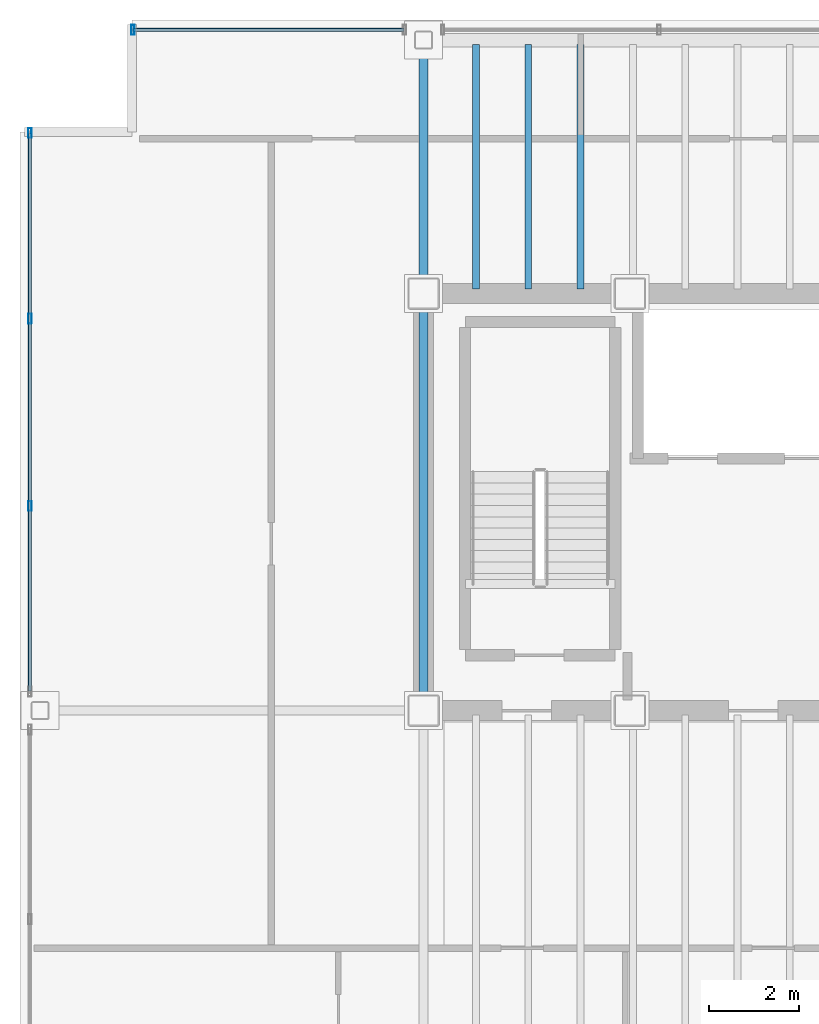
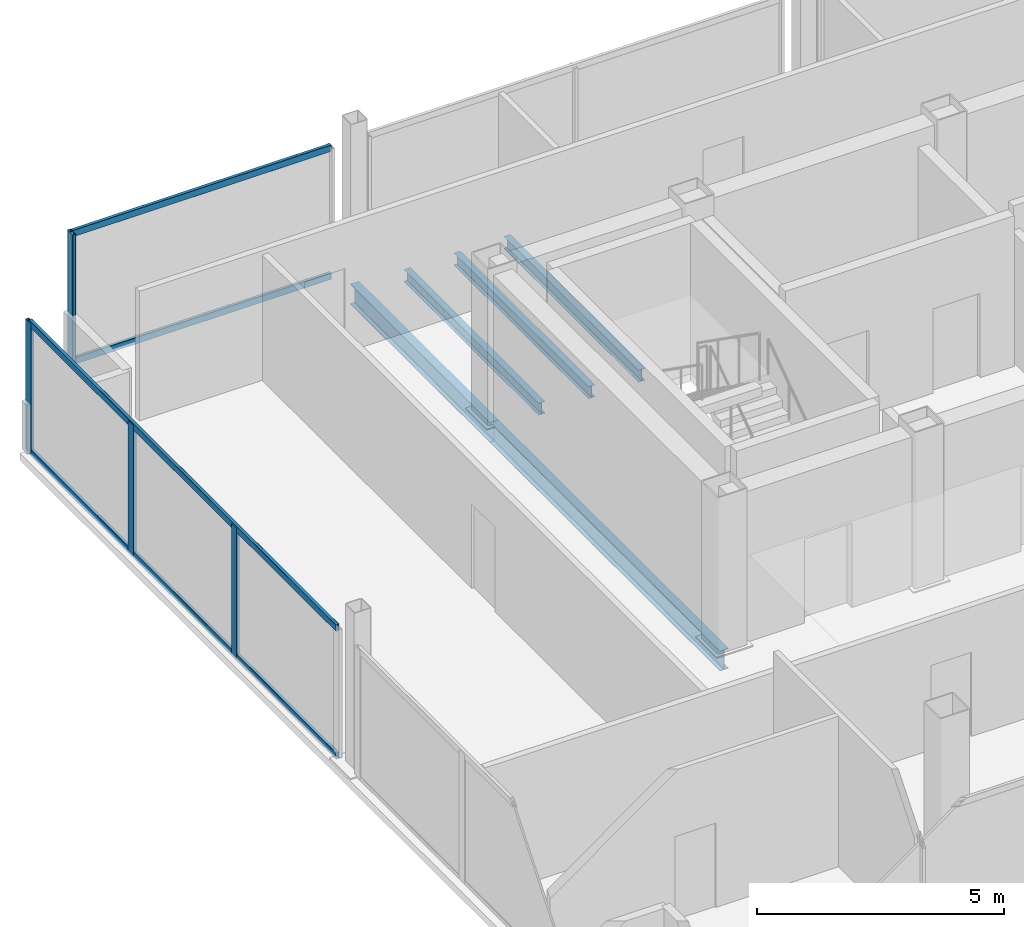
# One storey, part 8 of 17: 8 members, 5 beams, 2 elements without a shape of their own.
"""IFC4 building model written with IfcOpenShell, lengths in metres."""

from ifc_helpers import new_model, si_unit, direction, frame, origin, origin_2d, place, context, subcontext, project, spatial, hollow_rectangle, i_section, extrude, material, material_profile, profile_set, type_object, element, aggregate, save


model = new_model("IFC4")

# Units and contexts
model_context = context("Model", 3, precision=1e-05, world=origin(), true_north=direction((0.0, 1.0)))
body_context = subcontext(model_context, "Body", "Model", "MODEL_VIEW")
ifc_project = project(units=[si_unit("LENGTHUNIT", "METRE"), si_unit("AREAUNIT", "SQUARE_METRE"), si_unit("VOLUMEUNIT", "CUBIC_METRE"), si_unit("PLANEANGLEUNIT", "RADIAN"), si_unit("MASSUNIT", "GRAM", prefix="KILO")], contexts=[model_context])

# Site, building, storey
site_placement = place(None, origin())
site = spatial("IfcSite", under=ifc_project, at=site_placement, CompositionType="ELEMENT")
building_placement = place(site_placement, origin())
building = spatial("IfcBuilding", under=site, at=building_placement, Name="Noeulbin Bourse Tower", CompositionType="ELEMENT")
storey_placement = place(building_placement, frame((0.0, 0.0, 273.5)))
storey = spatial("IfcBuildingStorey", under=building, at=storey_placement, Name="L68", CompositionType="ELEMENT", Elevation=273.5)

# Beams
ifc_material_1 = material(Name="Steel S355", Category="steel")
ifc_material_profile_1 = material_profile(ifc_material_1, i_section(OverallWidth=0.199951171875, OverallDepth=0.5, WebThickness=0.010009765625, FlangeThickness=0.01611328125, FilletRadius=0.02001953125, at=origin_2d()), Name="H-500x200x10x16", Category="LoadBearing")
ifc_profile_set_1 = profile_set([ifc_material_profile_1], Name="Steel S355")
beam_type_1 = type_object("IfcBeamType", Name="BM-GRD-500", PredefinedType="USERDEFINED", material=ifc_profile_set_1)
beam_1_placement = place(storey_placement, frame((13.5, 29.0, -0.429931640625), z_axis=(0.0, 1.0, 0.0), x_axis=(-1.0, 0.0, 0.0)))
element("IfcBeam", 1, at=beam_1_placement, inside=storey, type_object=beam_type_1, Name="Tower Primary Girder NS L68-1.3", ObjectType="GIRDER", PredefinedType="USERDEFINED", context=body_context, shape_type="SweptSolid", body=[
    extrude(i_section(OverallWidth=0.199951171875, OverallDepth=0.5, WebThickness=0.010009765625, FlangeThickness=0.01611328125, FilletRadius=0.02001953125, at=origin_2d()), origin(), (0.0, 0.0, 1.0), 9.300048828125),
])
beam_2_placement = place(storey_placement, frame((13.5, 38.300048828125, -0.429931640625), z_axis=(0.0, 1.0, 0.0), x_axis=(-1.0, 0.0, 0.0)))
element("IfcBeam", 2, at=beam_2_placement, inside=storey, type_object=beam_type_1, Name="Tower Primary Girder NS L68-1.4", ObjectType="GIRDER", PredefinedType="USERDEFINED", context=body_context, shape_type="SweptSolid", body=[
    extrude(i_section(OverallWidth=0.199951171875, OverallDepth=0.5, WebThickness=0.010009765625, FlangeThickness=0.01611328125, FilletRadius=0.02001953125, at=origin_2d()), origin(), (0.0, 0.0, 1.0), 5.64990234375),
])
ifc_material_profile_2 = material_profile(ifc_material_1, i_section(OverallWidth=0.14990234375, OverallDepth=0.300048828125, WebThickness=0.006591796875, FlangeThickness=0.009033203125, FilletRadius=0.012939453125, at=origin_2d()), Name="H-300x150x6.5x9", Category="LoadBearing")
ifc_profile_set_2 = profile_set([ifc_material_profile_2], Name="Steel S355")
beam_type_2 = type_object("IfcBeamType", Name="BM-JST-300", PredefinedType="JOIST", material=ifc_profile_set_2)
for number, where, z_axis, x_axis, name in (
    (3, (14.666748046875, 38.39990234375, -0.330078125), (0.0, 1.0, 0.0), (-1.0, 0.0, 0.0), "Tower Composite Joist L68-02"),
    (4, (15.833251953125, 38.39990234375, -0.330078125), (0.0, 1.0, 0.0), (-1.0, 0.0, 0.0), "Tower Composite Joist L68-04"),
    (5, (17.0, 38.39990234375, -0.330078125), (0.0, 1.0, 0.0), (-1.0, 0.0, 0.0), "Tower Composite Joist L68-06"),
):
    element("IfcBeam", number, at=place(storey_placement, frame(where, z_axis=z_axis, x_axis=x_axis)), inside=storey, type_object=beam_type_2, Name=name, PredefinedType="JOIST", context=body_context, shape_type="SweptSolid", body=[
        extrude(i_section(OverallWidth=0.14990234375, OverallDepth=0.300048828125, WebThickness=0.006591796875, FlangeThickness=0.009033203125, FilletRadius=0.012939453125, at=origin_2d()), origin(), (0.0, 0.0, 1.0), 5.4501953125),
    ])

# Curtain wall, member
ifc_material_2 = material(Name="High-Selectivity Low-Iron Glazing", Category="glass")
curtain_wall_type = type_object("IfcCurtainWallType", Name="CW-SYS-4", PredefinedType="NOTDEFINED", material=ifc_material_2)
curtain_wall_1_placement = place(storey_placement, origin())
curtain_wall_1 = element("IfcCurtainWall", 6, at=curtain_wall_1_placement, inside=storey, type_object=curtain_wall_type, Name="Unitised Curtain Wall CW-L68-N-S1", PredefinedType="NOTDEFINED")
ifc_material_3 = material(Name="Anodised Aluminium 6063-T6", Category="aluminium")
ifc_material_profile_3 = material_profile(ifc_material_3, hollow_rectangle(XDim=0.074951171875, YDim=0.219970703125, WallThickness=0.0048828125, InnerFilletRadius=0.00244140625, OuterFilletRadius=0.0048828125, at=origin_2d()), Name="ALU-MULL-75x220x5", Category="LoadBearing")
ifc_profile_set_3 = profile_set([ifc_material_profile_3], Name="Anodised Aluminium 6063-T6")
member_type_1 = type_object("IfcMemberType", Name="CW-SYS-4-MUL", PredefinedType="MULLION", material=ifc_profile_set_3)
member_1_placement = place(storey_placement, frame((7.02001953125, 44.179931640625, -0.02001953125), z_axis=(0.0, 0.0, 1.0), x_axis=(1.0, 0.0, 0.0)))
member_1 = element("IfcMember", 7, at=member_1_placement, type_object=member_type_1, Name="Curtain Wall Mullion CW-L68-N-S1-M00", PredefinedType="MULLION", context=body_context, shape_type="SweptSolid", body=[
    extrude(hollow_rectangle(XDim=0.074951171875, YDim=0.219970703125, WallThickness=0.0048828125, InnerFilletRadius=0.00244140625, OuterFilletRadius=0.0048828125, at=origin_2d()), origin(), (0.0, 0.0, 1.0), 3.219970703125),
])

# Curtain wall, members
curtain_wall_2_placement = place(storey_placement, origin())
curtain_wall_2 = element("IfcCurtainWall", 8, at=curtain_wall_2_placement, inside=storey, type_object=curtain_wall_type, Name="Unitised Curtain Wall CW-L68-W-S2", PredefinedType="NOTDEFINED")
member_2_placement = place(storey_placement, frame((4.719970703125, 33.563232421875, -0.02001953125), z_axis=(0.0, 0.0, 1.0), x_axis=(1.0, 0.0, 0.0)))
member_2 = element("IfcMember", 9, at=member_2_placement, type_object=member_type_1, Name="Curtain Wall Mullion CW-L68-W-S2-M01", PredefinedType="MULLION", context=body_context, shape_type="SweptSolid", body=[
    extrude(hollow_rectangle(XDim=0.074951171875, YDim=0.219970703125, WallThickness=0.0048828125, InnerFilletRadius=0.00244140625, OuterFilletRadius=0.0048828125, at=origin_2d()), origin(), (0.0, 0.0, 1.0), 3.219970703125),
])
member_3_placement = place(storey_placement, frame((4.719970703125, 37.74169921875, -0.02001953125), z_axis=(0.0, 0.0, 1.0), x_axis=(1.0, 0.0, 0.0)))
member_3 = element("IfcMember", 10, at=member_3_placement, type_object=member_type_1, Name="Curtain Wall Mullion CW-L68-W-S2-M02", PredefinedType="MULLION", context=body_context, shape_type="SweptSolid", body=[
    extrude(hollow_rectangle(XDim=0.074951171875, YDim=0.219970703125, WallThickness=0.0048828125, InnerFilletRadius=0.00244140625, OuterFilletRadius=0.0048828125, at=origin_2d()), origin(), (0.0, 0.0, 1.0), 3.219970703125),
])
member_4_placement = place(storey_placement, frame((4.719970703125, 41.8798828125, -0.02001953125), z_axis=(0.0, 0.0, 1.0), x_axis=(1.0, 0.0, 0.0)))
member_4 = element("IfcMember", 11, at=member_4_placement, type_object=member_type_1, Name="Curtain Wall Mullion CW-L68-W-S2-M03", PredefinedType="MULLION", context=body_context, shape_type="SweptSolid", body=[
    extrude(hollow_rectangle(XDim=0.074951171875, YDim=0.219970703125, WallThickness=0.0048828125, InnerFilletRadius=0.00244140625, OuterFilletRadius=0.0048828125, at=origin_2d()), origin(), (0.0, 0.0, 1.0), 3.219970703125),
])

# Member
ifc_material_profile_4 = material_profile(ifc_material_3, hollow_rectangle(XDim=0.074951171875, YDim=0.159912109375, WallThickness=0.0048828125, InnerFilletRadius=0.00244140625, OuterFilletRadius=0.0048828125, at=origin_2d()), Name="ALU-TRAN-75x160x5", Category="LoadBearing")
ifc_profile_set_4 = profile_set([ifc_material_profile_4], Name="Anodised Aluminium 6063-T6")
member_type_2 = type_object("IfcMemberType", Name="CW-SYS-4-TRN", PredefinedType="USERDEFINED", material=ifc_profile_set_4)
member_5_placement = place(storey_placement, frame((7.030029296875, 44.179931640625, 0.010009765625), z_axis=(1.0, 0.0, 0.0), x_axis=(0.0, 1.0, 0.0)))
member_5 = element("IfcMember", 12, at=member_5_placement, type_object=member_type_2, Name="Curtain Wall Transom CW-L68-N-S1-T00", ObjectType="TRANSOM", PredefinedType="USERDEFINED", context=body_context, shape_type="SweptSolid", body=[
    extrude(hollow_rectangle(XDim=0.074951171875, YDim=0.159912109375, WallThickness=0.0048828125, InnerFilletRadius=0.00244140625, OuterFilletRadius=0.0048828125, at=origin_2d()), origin(), (0.0, 0.0, 1.0), 6.034912109375),
])

member_6_placement = place(storey_placement, frame((7.030029296875, 44.179931640625, 3.169921875), z_axis=(1.0, 0.0, 0.0), x_axis=(0.0, 1.0, 0.0)))
member_6 = element("IfcMember", 13, at=member_6_placement, type_object=member_type_2, Name="Curtain Wall Transom CW-L68-N-S1-T01", ObjectType="TRANSOM", PredefinedType="USERDEFINED", context=body_context, shape_type="SweptSolid", body=[
    extrude(hollow_rectangle(XDim=0.074951171875, YDim=0.159912109375, WallThickness=0.0048828125, InnerFilletRadius=0.00244140625, OuterFilletRadius=0.0048828125, at=origin_2d()), origin(), (0.0, 0.0, 1.0), 6.034912109375),
])

aggregate(curtain_wall_1, [member_1, member_5, member_6])

member_7_placement = place(storey_placement, frame((4.719970703125, 29.43505859375, 0.010009765625), z_axis=(0.0, 1.0, 0.0), x_axis=(-1.0, 0.0, 0.0)))
member_7 = element("IfcMember", 14, at=member_7_placement, type_object=member_type_2, Name="Curtain Wall Transom CW-L68-W-S2-T00", ObjectType="TRANSOM", PredefinedType="USERDEFINED", context=body_context, shape_type="SweptSolid", body=[
    extrude(hollow_rectangle(XDim=0.074951171875, YDim=0.159912109375, WallThickness=0.0048828125, InnerFilletRadius=0.00244140625, OuterFilletRadius=0.0048828125, at=origin_2d()), origin(), (0.0, 0.0, 1.0), 12.43505859375),
])

member_8_placement = place(storey_placement, frame((4.719970703125, 29.43505859375, 3.169921875), z_axis=(0.0, 1.0, 0.0), x_axis=(-1.0, 0.0, 0.0)))
member_8 = element("IfcMember", 15, at=member_8_placement, type_object=member_type_2, Name="Curtain Wall Transom CW-L68-W-S2-T01", ObjectType="TRANSOM", PredefinedType="USERDEFINED", context=body_context, shape_type="SweptSolid", body=[
    extrude(hollow_rectangle(XDim=0.074951171875, YDim=0.159912109375, WallThickness=0.0048828125, InnerFilletRadius=0.00244140625, OuterFilletRadius=0.0048828125, at=origin_2d()), origin(), (0.0, 0.0, 1.0), 12.43505859375),
])

aggregate(curtain_wall_2, [member_2, member_3, member_4, member_7, member_8])

save(model, "model.ifc")
